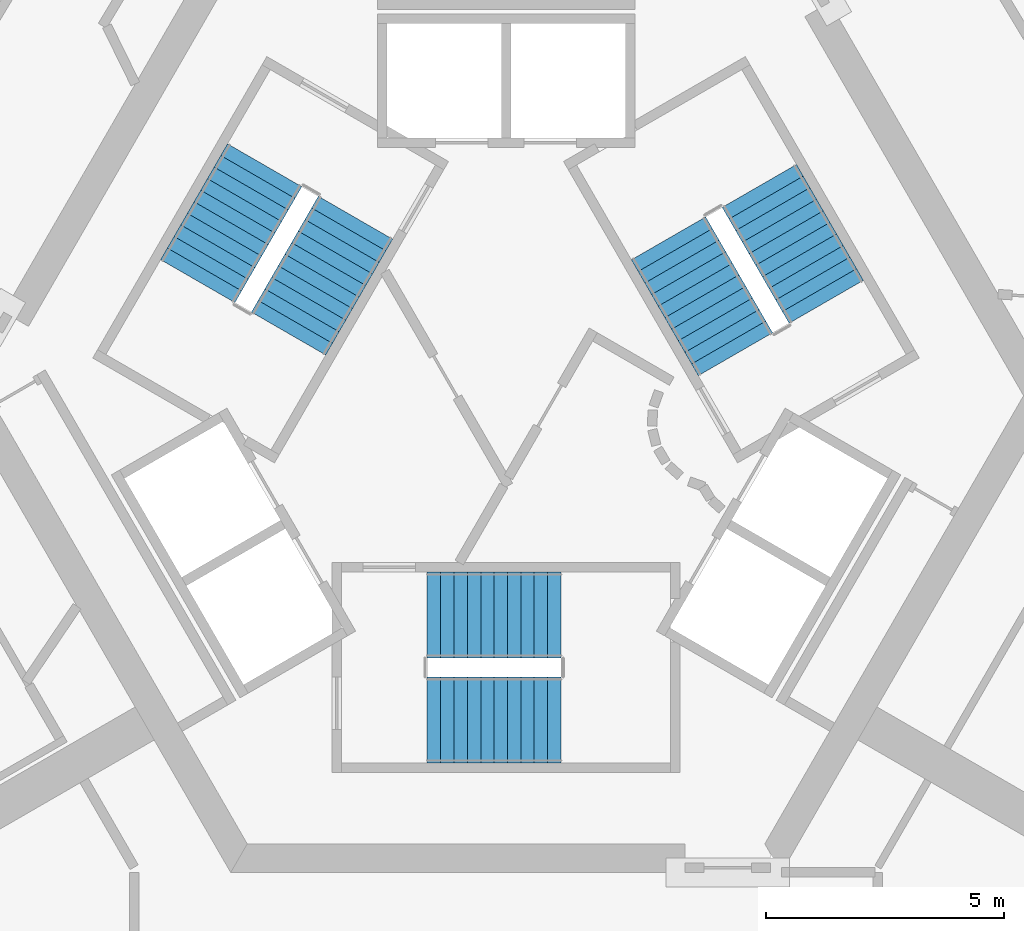
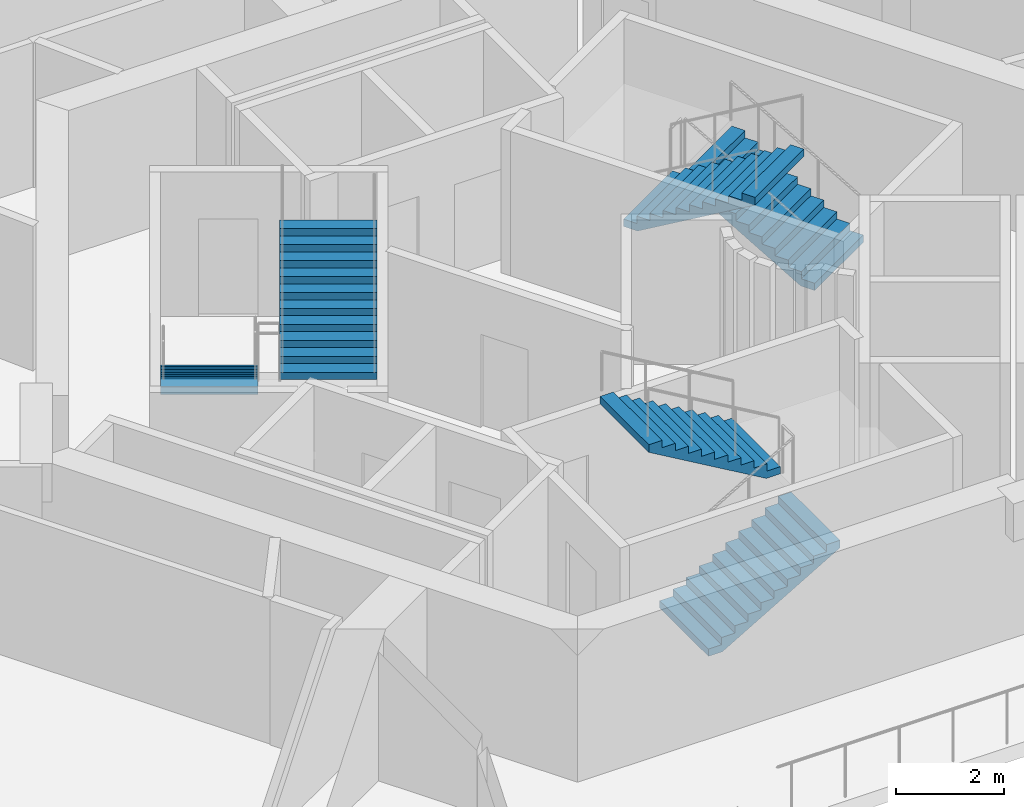
# One storey, part 10 of 13: 6 stair flights, 3 elements without a shape of their own.
"""IFC4 building model written with IfcOpenShell, lengths in metres."""

from ifc_helpers import new_model, si_unit, direction, frame, origin, place, context, subcontext, project, spatial, polyline, outline, extrude, material, type_object, element, aggregate, save


model = new_model("IFC4")

# Units and contexts
model_context = context("Model", 3, precision=1e-05, world=origin(), true_north=direction((0.0, 1.0)))
body_context = subcontext(model_context, "Body", "Model", "MODEL_VIEW")
ifc_project = project(units=[si_unit("LENGTHUNIT", "METRE"), si_unit("AREAUNIT", "SQUARE_METRE"), si_unit("VOLUMEUNIT", "CUBIC_METRE"), si_unit("PLANEANGLEUNIT", "RADIAN"), si_unit("MASSUNIT", "GRAM", prefix="KILO")], contexts=[model_context])

# Site, building, storey
site_placement = place(None, origin())
site = spatial("IfcSite", under=ifc_project, at=site_placement, CompositionType="ELEMENT")
building_placement = place(site_placement, origin())
building = spatial("IfcBuilding", under=site, at=building_placement, Name="Entoto Arch Interchange Tower", CompositionType="ELEMENT")
storey_placement = place(building_placement, frame((0.0, 0.0, 270.199951171875)))
storey = spatial("IfcBuildingStorey", under=building, at=storey_placement, Name="L62", CompositionType="ELEMENT", Elevation=270.199951171875)

# Stair, stair flights
ifc_material = material(Name="Concrete C40/50", Category="concrete")
stair_type = type_object("IfcStairType", Name="EXIT STAIR RC 1800", PredefinedType="HALF_TURN_STAIR", material=ifc_material)
stair_1_placement = place(storey_placement, origin())
stair_1 = element("IfcStair", 1, at=stair_1_placement, inside=storey, type_object=stair_type, Name="L62 Exit stair S", PredefinedType="HALF_TURN_STAIR")
stair_flight_type = type_object("IfcStairFlightType", Name="EXIT STAIR FLIGHT RC 1800", PredefinedType="STRAIGHT", material=ifc_material)
stair_flight_1_placement = place(storey_placement, frame((-1.64990234375, -4.300048828125, 0.0), z_axis=(0.0, 0.0, 1.0), x_axis=(1.0, 0.0, 0.0)))
stair_flight_1 = element("IfcStairFlight", 2, at=stair_flight_1_placement, type_object=stair_flight_type, Name="ST-S flight 1", NumberOfRisers=11, NumberOfTreads=10, PredefinedType="STRAIGHT", RiserHeight=0.163636364, TreadLength=0.28, context=body_context, shape_type="SweptSolid", body=[
    extrude(outline(polyline([(-0.0029296875, 0.0), (-0.0029296875, 0.16357421875), (0.280029296875, 0.16357421875), (0.280029296875, 0.327392578125), (0.56005859375, 0.327392578125), (0.56005859375, 0.490966796875), (0.840087890625, 0.490966796875), (0.840087890625, 0.654541015625), (1.1201171875, 0.654541015625), (1.1201171875, 0.818115234375), (1.39990234375, 0.818115234375), (1.39990234375, 0.98193359375), (1.679931640625, 0.98193359375), (1.679931640625, 1.1455078125), (1.9599609375, 1.1455078125), (1.9599609375, 1.30908203125), (2.239990234375, 1.30908203125), (2.239990234375, 1.47265625), (2.52001953125, 1.47265625), (2.52001953125, 1.636474609375), (2.800048828125, 1.636474609375), (2.802978515625, 1.636474609375), (2.802978515625, 1.464599609375), (0.297119140625, 0.0), (-0.0029296875, 0.0)])), frame((0.0, 0.89990234375, 0.0), z_axis=(0.0, -1.0, 0.0), x_axis=(1.0, 0.0, 0.0)), (0.0, 0.0, 1.0), 1.800048828125),
])
stair_flight_2_placement = place(storey_placement, frame((1.14990234375, -2.10009765625, 1.800048828125), z_axis=(0.0, 0.0, 1.0), x_axis=(-1.0, 0.0, 0.0)))
stair_flight_2 = element("IfcStairFlight", 3, at=stair_flight_2_placement, type_object=stair_flight_type, Name="ST-S flight 2", NumberOfRisers=11, NumberOfTreads=10, PredefinedType="STRAIGHT", RiserHeight=0.163636364, TreadLength=0.28, context=body_context, shape_type="SweptSolid", body=[
    extrude(outline(polyline([(-0.0029296875, 0.0), (-0.0029296875, 0.16357421875), (0.280029296875, 0.16357421875), (0.280029296875, 0.327392578125), (0.56005859375, 0.327392578125), (0.56005859375, 0.490966796875), (0.840087890625, 0.490966796875), (0.840087890625, 0.654541015625), (1.1201171875, 0.654541015625), (1.1201171875, 0.818115234375), (1.39990234375, 0.818115234375), (1.39990234375, 0.98193359375), (1.679931640625, 0.98193359375), (1.679931640625, 1.1455078125), (1.9599609375, 1.1455078125), (1.9599609375, 1.30908203125), (2.239990234375, 1.30908203125), (2.239990234375, 1.47265625), (2.52001953125, 1.47265625), (2.52001953125, 1.636474609375), (2.800048828125, 1.636474609375), (2.802978515625, 1.636474609375), (2.802978515625, 1.464599609375), (0.297119140625, 0.0), (-0.0029296875, 0.0)])), frame((0.0, 0.89990234375, 0.0), z_axis=(0.0, -1.0, 0.0), x_axis=(1.0, 0.0, 0.0)), (0.0, 0.0, 1.0), 1.800048828125),
])
aggregate(stair_1, [stair_flight_1, stair_flight_2])

stair_2_placement = place(storey_placement, origin())
stair_2 = element("IfcStair", 4, at=stair_2_placement, inside=storey, type_object=stair_type, Name="L62 Exit stair NE", PredefinedType="HALF_TURN_STAIR")
stair_flight_3_placement = place(storey_placement, frame((6.7138671875, 4.470947265625, 0.0), z_axis=(0.0, 0.0, 1.0), x_axis=(-0.5, 0.866025403784, 0.0)))
stair_flight_3 = element("IfcStairFlight", 5, at=stair_flight_3_placement, type_object=stair_flight_type, Name="ST-NE flight 1", NumberOfRisers=11, NumberOfTreads=10, PredefinedType="STRAIGHT", RiserHeight=0.163636364, TreadLength=0.28, context=body_context, shape_type="SweptSolid", body=[
    extrude(outline(polyline([(-0.0029296875, 0.0), (-0.0029296875, 0.16357421875), (0.280029296875, 0.16357421875), (0.280029296875, 0.327392578125), (0.56005859375, 0.327392578125), (0.56005859375, 0.490966796875), (0.840087890625, 0.490966796875), (0.840087890625, 0.654541015625), (1.1201171875, 0.654541015625), (1.1201171875, 0.818115234375), (1.39990234375, 0.818115234375), (1.39990234375, 0.98193359375), (1.679931640625, 0.98193359375), (1.679931640625, 1.1455078125), (1.9599609375, 1.1455078125), (1.9599609375, 1.30908203125), (2.239990234375, 1.30908203125), (2.239990234375, 1.47265625), (2.52001953125, 1.47265625), (2.52001953125, 1.636474609375), (2.800048828125, 1.636474609375), (2.802978515625, 1.636474609375), (2.802978515625, 1.464599609375), (0.297119140625, 0.0), (-0.0029296875, 0.0)])), frame((0.0, 0.89990234375, 0.0), z_axis=(0.0, -1.0, 0.0), x_axis=(1.0, 0.0, 0.0)), (0.0, 0.0, 1.0), 1.800048828125),
])
stair_flight_4_placement = place(storey_placement, frame((3.40869140625, 5.7958984375, 1.800048828125), z_axis=(0.0, 0.0, 1.0), x_axis=(0.5, -0.866025403784, 0.0)))
stair_flight_4 = element("IfcStairFlight", 6, at=stair_flight_4_placement, type_object=stair_flight_type, Name="ST-NE flight 2", NumberOfRisers=11, NumberOfTreads=10, PredefinedType="STRAIGHT", RiserHeight=0.163636364, TreadLength=0.28, context=body_context, shape_type="SweptSolid", body=[
    extrude(outline(polyline([(-0.0029296875, 0.0), (-0.0029296875, 0.16357421875), (0.280029296875, 0.16357421875), (0.280029296875, 0.327392578125), (0.56005859375, 0.327392578125), (0.56005859375, 0.490966796875), (0.840087890625, 0.490966796875), (0.840087890625, 0.654541015625), (1.1201171875, 0.654541015625), (1.1201171875, 0.818115234375), (1.39990234375, 0.818115234375), (1.39990234375, 0.98193359375), (1.679931640625, 0.98193359375), (1.679931640625, 1.1455078125), (1.9599609375, 1.1455078125), (1.9599609375, 1.30908203125), (2.239990234375, 1.30908203125), (2.239990234375, 1.47265625), (2.52001953125, 1.47265625), (2.52001953125, 1.636474609375), (2.800048828125, 1.636474609375), (2.802978515625, 1.636474609375), (2.802978515625, 1.464599609375), (0.297119140625, 0.0), (-0.0029296875, 0.0)])), frame((0.0, 0.89990234375, 0.0), z_axis=(0.0, -1.0, 0.0), x_axis=(1.0, 0.0, 0.0)), (0.0, 0.0, 1.0), 1.800048828125),
])
aggregate(stair_2, [stair_flight_3, stair_flight_4])

stair_3_placement = place(storey_placement, origin())
stair_3 = element("IfcStair", 7, at=stair_3_placement, inside=storey, type_object=stair_type, Name="L62 Exit stair NW", PredefinedType="HALF_TURN_STAIR")
stair_flight_5_placement = place(storey_placement, frame((-5.06396484375, 7.328857421875, 0.0), z_axis=(0.0, 0.0, 1.0), x_axis=(-0.5, -0.866025403784, 0.0)))
stair_flight_5 = element("IfcStairFlight", 8, at=stair_flight_5_placement, type_object=stair_flight_type, Name="ST-NW flight 1", NumberOfRisers=11, NumberOfTreads=10, PredefinedType="STRAIGHT", RiserHeight=0.163636364, TreadLength=0.28, context=body_context, shape_type="SweptSolid", body=[
    extrude(outline(polyline([(-0.0029296875, 0.0), (-0.0029296875, 0.16357421875), (0.280029296875, 0.16357421875), (0.280029296875, 0.327392578125), (0.56005859375, 0.327392578125), (0.56005859375, 0.490966796875), (0.840087890625, 0.490966796875), (0.840087890625, 0.654541015625), (1.1201171875, 0.654541015625), (1.1201171875, 0.818115234375), (1.39990234375, 0.818115234375), (1.39990234375, 0.98193359375), (1.679931640625, 0.98193359375), (1.679931640625, 1.1455078125), (1.9599609375, 1.1455078125), (1.9599609375, 1.30908203125), (2.239990234375, 1.30908203125), (2.239990234375, 1.47265625), (2.52001953125, 1.47265625), (2.52001953125, 1.636474609375), (2.800048828125, 1.636474609375), (2.802978515625, 1.636474609375), (2.802978515625, 1.464599609375), (0.297119140625, 0.0), (-0.0029296875, 0.0)])), frame((0.0, 0.89990234375, 0.0), z_axis=(0.0, -1.0, 0.0), x_axis=(1.0, 0.0, 0.0)), (0.0, 0.0, 1.0), 1.800048828125),
])
stair_flight_6_placement = place(storey_placement, frame((-4.558837890625, 3.803955078125, 1.800048828125), z_axis=(0.0, 0.0, 1.0), x_axis=(0.5, 0.866025403784, 0.0)))
stair_flight_6 = element("IfcStairFlight", 9, at=stair_flight_6_placement, type_object=stair_flight_type, Name="ST-NW flight 2", NumberOfRisers=11, NumberOfTreads=10, PredefinedType="STRAIGHT", RiserHeight=0.163636364, TreadLength=0.28, context=body_context, shape_type="SweptSolid", body=[
    extrude(outline(polyline([(-0.0029296875, 0.0), (-0.0029296875, 0.16357421875), (0.280029296875, 0.16357421875), (0.280029296875, 0.327392578125), (0.56005859375, 0.327392578125), (0.56005859375, 0.490966796875), (0.840087890625, 0.490966796875), (0.840087890625, 0.654541015625), (1.1201171875, 0.654541015625), (1.1201171875, 0.818115234375), (1.39990234375, 0.818115234375), (1.39990234375, 0.98193359375), (1.679931640625, 0.98193359375), (1.679931640625, 1.1455078125), (1.9599609375, 1.1455078125), (1.9599609375, 1.30908203125), (2.239990234375, 1.30908203125), (2.239990234375, 1.47265625), (2.52001953125, 1.47265625), (2.52001953125, 1.636474609375), (2.800048828125, 1.636474609375), (2.802978515625, 1.636474609375), (2.802978515625, 1.464599609375), (0.297119140625, 0.0), (-0.0029296875, 0.0)])), frame((0.0, 0.89990234375, 0.0), z_axis=(0.0, -1.0, 0.0), x_axis=(1.0, 0.0, 0.0)), (0.0, 0.0, 1.0), 1.800048828125),
])
aggregate(stair_3, [stair_flight_5, stair_flight_6])

save(model, "model.ifc")
